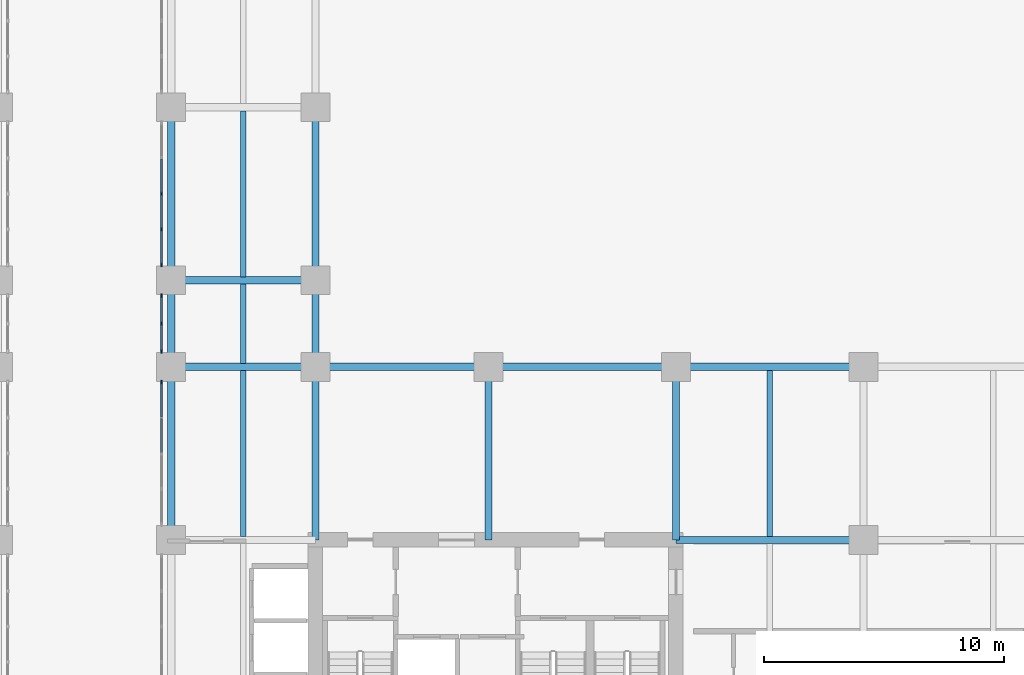
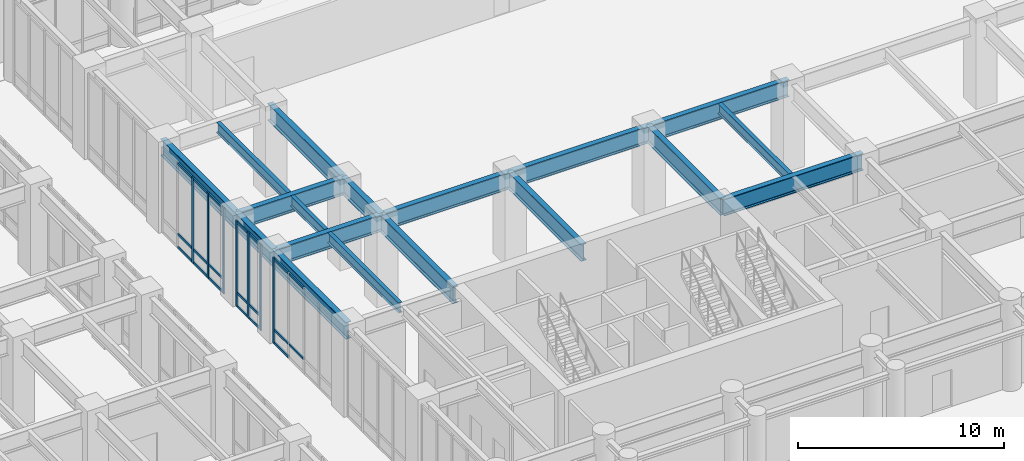
# One storey, part 5 of 23: 27 members, 18 beams, 3 elements without a shape of their own.
"""IFC4 building model written with IfcOpenShell, lengths in metres."""

from ifc_helpers import new_model, si_unit, derived_unit, direction, frame, origin, origin_2d, place, context, subcontext, project, spatial, rectangle, i_section, extrude, source, transform, mapped, material, layer, layer_set, material_profile, profile_set, type_object, type_shapes, element, aggregate, save


model = new_model("IFC4")

# Units and contexts
model_context = context("Model", 3, precision=1e-05, world=origin(), true_north=direction((0.0, 1.0)))
body_context = subcontext(model_context, "Body", "Model", "MODEL_VIEW")
ifc_project = project(units=[si_unit("LENGTHUNIT", "METRE"), si_unit("AREAUNIT", "SQUARE_METRE"), si_unit("VOLUMEUNIT", "CUBIC_METRE"), si_unit("PLANEANGLEUNIT", "RADIAN"), si_unit("MASSUNIT", "GRAM", prefix="KILO"), si_unit("THERMODYNAMICTEMPERATUREUNIT", "KELVIN"), si_unit("POWERUNIT", "WATT"), derived_unit("THERMALTRANSMITTANCEUNIT", [(si_unit("POWERUNIT", "WATT"), 1), (si_unit("AREAUNIT", "SQUARE_METRE"), -1), (si_unit("THERMODYNAMICTEMPERATUREUNIT", "KELVIN"), -1)])], contexts=[model_context])

# Site, building, storey
site_placement = place(None, origin())
site = spatial("IfcSite", under=ifc_project, at=site_placement, CompositionType="ELEMENT")
building_placement = place(site_placement, origin())
building = spatial("IfcBuilding", under=site, at=building_placement, Name="Zahravan Archway Hotel and Residences", CompositionType="ELEMENT")
storey_placement = place(building_placement, origin())
storey = spatial("IfcBuildingStorey", under=building, at=storey_placement, Name="L00", CompositionType="ELEMENT", Elevation=0.0)

# Beams
ifc_material_1 = material(Name="Structural Steel S355J2", Category="steel")
ifc_material_profile_1 = material_profile(ifc_material_1, i_section(OverallWidth=0.300048828125, OverallDepth=1.0, WebThickness=0.01904296875, FlangeThickness=0.035888671875, FilletRadius=0.030029296875, at=origin_2d()), Name="HEB 1000", Category="steel")
ifc_profile_set_1 = profile_set([ifc_material_profile_1], Name="Structural Steel S355J2")
beam_type_1 = type_object("IfcBeamType", Name="BM-PRI-HEB1000", PredefinedType="BEAM", material=ifc_profile_set_1)
shared_shape_1 = source(origin(), body_context, "Body", "SweptSolid", [
    extrude(i_section(OverallWidth=0.300048828125, OverallDepth=1.0, WebThickness=0.01904296875, FlangeThickness=0.035888671875, FilletRadius=0.030029296875, at=origin_2d()), origin(), (0.0, 0.0, 1.0), 7.199951171875),
])
for number, where, z_axis, x_axis, name in (
    (1, (34.800048828125, 21.60009765625, 4.60009765625), (1.0, 0.0, 0.0), (0.0, 1.0, 0.0), "L00 Primary Girder EW-32"),
    (2, (28.800048828125, 25.199951171875, 4.60009765625), (0.0, 1.0, 0.0), (-1.0, 0.0, 0.0), "L00 Primary Girder NS-99"),
    (3, (34.800048828125, 25.199951171875, 4.60009765625), (0.0, 1.0, 0.0), (-1.0, 0.0, 0.0), "L00 Primary Girder NS-104"),
):
    element("IfcBeam", number, at=place(storey_placement, frame(where, z_axis=z_axis, x_axis=x_axis)), inside=storey, type_object=beam_type_1, Name=name, PredefinedType="BEAM", context=body_context, shape_type="MappedRepresentation", body=[
        mapped(shared_shape_1, transform((0.0, 0.0, 0.0), scale=1.0)),
    ])
shared_shape_2 = source(origin(), body_context, "Body", "SweptSolid", [
    extrude(i_section(OverallWidth=0.300048828125, OverallDepth=1.0, WebThickness=0.01904296875, FlangeThickness=0.035888671875, FilletRadius=0.030029296875, at=origin_2d()), origin(), (0.0, 0.0, 1.0), 7.2001953125),
])
for number, where, z_axis, x_axis, name in (
    (4, (28.800048828125, 14.39990234375, 4.60009765625), (0.0, 1.0, 0.0), (-1.0, 0.0, 0.0), "L00 Primary Girder NS-97"),
    (5, (34.800048828125, 14.39990234375, 4.60009765625), (0.0, 1.0, 0.0), (-1.0, 0.0, 0.0), "L00 Primary Girder NS-102"),
    (6, (42.0, 14.39990234375, 4.60009765625), (0.0, 1.0, 0.0), (-1.0, 0.0, 0.0), "L00 Primary Girder NS-107"),
    (7, (49.800048828125, 14.39990234375, 4.60009765625), (0.0, 1.0, 0.0), (-1.0, 0.0, 0.0), "L00 Primary Girder NS-108"),
):
    element("IfcBeam", number, at=place(storey_placement, frame(where, z_axis=z_axis, x_axis=x_axis)), inside=storey, type_object=beam_type_1, Name=name, PredefinedType="BEAM", context=body_context, shape_type="MappedRepresentation", body=[
        mapped(shared_shape_2, transform((0.0, 0.0, 0.0), scale=1.0)),
    ])
shared_shape_3 = source(origin(), body_context, "Body", "SweptSolid", [
    extrude(i_section(OverallWidth=0.300048828125, OverallDepth=1.0, WebThickness=0.01904296875, FlangeThickness=0.035888671875, FilletRadius=0.030029296875, at=origin_2d()), origin(), (0.0, 0.0, 1.0), 6.0),
])
for number, where, z_axis, x_axis, name in (
    (8, (28.800048828125, 21.60009765625, 4.60009765625), (1.0, 0.0, 0.0), (0.0, 1.0, 0.0), "L00 Primary Girder EW-31"),
    (9, (28.800048828125, 25.199951171875, 4.60009765625), (1.0, 0.0, 0.0), (0.0, 1.0, 0.0), "L00 Primary Girder EW-40"),
):
    element("IfcBeam", number, at=place(storey_placement, frame(where, z_axis=z_axis, x_axis=x_axis)), inside=storey, type_object=beam_type_1, Name=name, PredefinedType="BEAM", context=body_context, shape_type="MappedRepresentation", body=[
        mapped(shared_shape_3, transform((0.0, 0.0, 0.0), scale=1.0)),
    ])
shared_shape_4 = source(origin(), body_context, "Body", "SweptSolid", [
    extrude(i_section(OverallWidth=0.300048828125, OverallDepth=1.0, WebThickness=0.01904296875, FlangeThickness=0.035888671875, FilletRadius=0.030029296875, at=origin_2d()), origin(), (0.0, 0.0, 1.0), 7.800048828125),
])
for number, where, z_axis, x_axis, name in (
    (10, (49.800048828125, 14.39990234375, 4.60009765625), (1.0, 0.0, 0.0), (0.0, 1.0, 0.0), "L00 Primary Girder EW-24"),
    (11, (42.0, 21.60009765625, 4.60009765625), (1.0, 0.0, 0.0), (0.0, 1.0, 0.0), "L00 Primary Girder EW-33"),
    (12, (49.800048828125, 21.60009765625, 4.60009765625), (1.0, 0.0, 0.0), (0.0, 1.0, 0.0), "L00 Primary Girder EW-34"),
):
    element("IfcBeam", number, at=place(storey_placement, frame(where, z_axis=z_axis, x_axis=x_axis)), inside=storey, type_object=beam_type_1, Name=name, PredefinedType="BEAM", context=body_context, shape_type="MappedRepresentation", body=[
        mapped(shared_shape_4, transform((0.0, 0.0, 0.0), scale=1.0)),
    ])
shared_shape_5 = source(origin(), body_context, "Body", "SweptSolid", [
    extrude(i_section(OverallWidth=0.300048828125, OverallDepth=1.0, WebThickness=0.01904296875, FlangeThickness=0.035888671875, FilletRadius=0.030029296875, at=origin_2d()), origin(), (0.0, 0.0, 1.0), 3.599853515625),
])
for number, where, z_axis, x_axis, name in (
    (13, (28.800048828125, 21.60009765625, 4.60009765625), (0.0, 1.0, 0.0), (-1.0, 0.0, 0.0), "L00 Primary Girder NS-98"),
    (14, (34.800048828125, 21.60009765625, 4.60009765625), (0.0, 1.0, 0.0), (-1.0, 0.0, 0.0), "L00 Primary Girder NS-103"),
):
    element("IfcBeam", number, at=place(storey_placement, frame(where, z_axis=z_axis, x_axis=x_axis)), inside=storey, type_object=beam_type_1, Name=name, PredefinedType="BEAM", context=body_context, shape_type="MappedRepresentation", body=[
        mapped(shared_shape_5, transform((0.0, 0.0, 0.0), scale=1.0)),
    ])
ifc_material_2 = material(Name="Structural Steel S355JR", Category="steel")
ifc_material_profile_2 = material_profile(ifc_material_2, i_section(OverallWidth=0.219970703125, OverallDepth=0.60009765625, WebThickness=0.011962890625, FlangeThickness=0.01904296875, FilletRadius=0.02392578125, at=origin_2d()), Name="IPE 600", Category="steel")
ifc_profile_set_2 = profile_set([ifc_material_profile_2], Name="Structural Steel S355JR")
beam_type_2 = type_object("IfcBeamType", Name="BM-JST-IPE600", PredefinedType="JOIST", material=ifc_profile_set_2)
shared_shape_6 = source(origin(), body_context, "Body", "SweptSolid", [
    extrude(i_section(OverallWidth=0.219970703125, OverallDepth=0.60009765625, WebThickness=0.011962890625, FlangeThickness=0.01904296875, FilletRadius=0.02392578125, at=origin_2d()), origin(), (0.0, 0.0, 1.0), 6.904052734375),
])
type_shapes(beam_type_2, [shared_shape_6])
beam_1_placement = place(storey_placement, frame((31.800048828125, 25.347900390625, 4.800048828125), z_axis=(0.0, 1.0, 0.0), x_axis=(-1.0, 0.0, 0.0)))
element("IfcBeam", 15, at=beam_1_placement, inside=storey, type_object=beam_type_2, Name="L00 Composite Floor Joist 29", PredefinedType="JOIST", context=body_context, shape_type="MappedRepresentation", body=[
    mapped(shared_shape_6, transform((0.0, 0.0, 0.0), scale=1.0)),
])
shared_shape_7 = source(origin(), body_context, "Body", "SweptSolid", [
    extrude(i_section(OverallWidth=0.219970703125, OverallDepth=0.60009765625, WebThickness=0.011962890625, FlangeThickness=0.01904296875, FilletRadius=0.02392578125, at=origin_2d()), origin(), (0.0, 0.0, 1.0), 6.90380859375),
])
for number, where, z_axis, x_axis, name in (
    (16, (31.800048828125, 14.548095703125, 4.800048828125), (0.0, 1.0, 0.0), (-1.0, 0.0, 0.0), "L00 Composite Floor Joist 21"),
    (17, (53.699951171875, 14.548095703125, 4.800048828125), (0.0, 1.0, 0.0), (-1.0, 0.0, 0.0), "L00 Composite Floor Joist 22"),
):
    element("IfcBeam", number, at=place(storey_placement, frame(where, z_axis=z_axis, x_axis=x_axis)), inside=storey, type_object=beam_type_2, Name=name, PredefinedType="JOIST", context=body_context, shape_type="MappedRepresentation", body=[
        mapped(shared_shape_7, transform((0.0, 0.0, 0.0), scale=1.0)),
    ])
shared_shape_8 = source(origin(), body_context, "Body", "SweptSolid", [
    extrude(i_section(OverallWidth=0.219970703125, OverallDepth=0.60009765625, WebThickness=0.011962890625, FlangeThickness=0.01904296875, FilletRadius=0.02392578125, at=origin_2d()), origin(), (0.0, 0.0, 1.0), 3.303955078125),
])
beam_2_placement = place(storey_placement, frame((31.800048828125, 21.748046875, 4.800048828125), z_axis=(0.0, 1.0, 0.0), x_axis=(-1.0, 0.0, 0.0)))
element("IfcBeam", 18, at=beam_2_placement, inside=storey, type_object=beam_type_2, Name="L00 Composite Floor Joist 27", PredefinedType="JOIST", context=body_context, shape_type="MappedRepresentation", body=[
    mapped(shared_shape_8, transform((0.0, 0.0, 0.0), scale=1.0)),
])

# Curtain wall, member
ifc_material_3 = material(Name="Bronze-Anodized Unitised Aluminium & Low-E Glass", Category="aluminium")
ifc_layer = layer(ifc_material_3, 0.179931640625, Name="Bronze-Anodized Unitised Aluminium & Low-E Glass", Category="aluminium")
ifc_layer_set = layer_set([ifc_layer], Name="Bronze-Anodized Unitised Aluminium & Low-E Glass")
curtain_wall_type = type_object("IfcCurtainWallType", Name="CW-POD-ARCH", PredefinedType="NOTDEFINED", material=ifc_layer_set)
curtain_wall_1_placement = place(storey_placement, origin())
curtain_wall_1 = element("IfcCurtainWall", 19, at=curtain_wall_1_placement, inside=storey, type_object=curtain_wall_type, Name="L00 Curtain Wall CW-PORTE-L00-3", PredefinedType="NOTDEFINED")
ifc_material_4 = material(Name="Bronze-Anodized Extruded Aluminium", Category="aluminium")
ifc_material_profile_3 = material_profile(ifc_material_4, rectangle(XDim=0.080078125, YDim=0.159912109375, at=origin_2d()), Name="MUL 80x160", Category="aluminium")
ifc_profile_set_3 = profile_set([ifc_material_profile_3], Name="Bronze-Anodized Extruded Aluminium")
member_type_1 = type_object("IfcMemberType", Name="CWM-MUL-160", PredefinedType="MULLION", material=ifc_profile_set_3)
shared_shape_9 = source(origin(), body_context, "Body", "SweptSolid", [
    extrude(rectangle(XDim=0.080078125, YDim=0.159912109375, at=origin_2d()), origin(), (0.0, 0.0, 1.0), 5.10009765625),
])
member_1_placement = place(storey_placement, frame((28.39990234375, 20.954833984375, 0.0), z_axis=(0.0, 0.0, 1.0), x_axis=(1.0, 0.0, 0.0)))
member_1 = element("IfcMember", 20, at=member_1_placement, type_object=member_type_1, Name="CW-PORTE-L00-3 Mullion 4", PredefinedType="MULLION", context=body_context, shape_type="MappedRepresentation", body=[
    mapped(shared_shape_9, transform((0.0, 0.0, 0.0), scale=1.0)),
])

# Curtain wall, members
curtain_wall_2_placement = place(storey_placement, origin())
curtain_wall_2 = element("IfcCurtainWall", 21, at=curtain_wall_2_placement, inside=storey, type_object=curtain_wall_type, Name="L00 Curtain Wall CW-PORTE-L00-4", PredefinedType="NOTDEFINED")
member_2_placement = place(storey_placement, frame((28.39990234375, 22.2451171875, 0.0), z_axis=(0.0, 0.0, 1.0), x_axis=(1.0, 0.0, 0.0)))
member_2 = element("IfcMember", 22, at=member_2_placement, type_object=member_type_1, Name="CW-PORTE-L00-4 Mullion 0", PredefinedType="MULLION", context=body_context, shape_type="MappedRepresentation", body=[
    mapped(shared_shape_9, transform((0.0, 0.0, 0.0), scale=1.0)),
])
member_3_placement = place(storey_placement, frame((28.39990234375, 23.39990234375, 0.0), z_axis=(0.0, 0.0, 1.0), x_axis=(1.0, 0.0, 0.0)))
member_3 = element("IfcMember", 23, at=member_3_placement, type_object=member_type_1, Name="CW-PORTE-L00-4 Mullion 1", PredefinedType="MULLION", context=body_context, shape_type="MappedRepresentation", body=[
    mapped(shared_shape_9, transform((0.0, 0.0, 0.0), scale=1.0)),
])
member_4_placement = place(storey_placement, frame((28.39990234375, 24.5546875, 0.0), z_axis=(0.0, 0.0, 1.0), x_axis=(1.0, 0.0, 0.0)))
member_4 = element("IfcMember", 24, at=member_4_placement, type_object=member_type_1, Name="CW-PORTE-L00-4 Mullion 2", PredefinedType="MULLION", context=body_context, shape_type="MappedRepresentation", body=[
    mapped(shared_shape_9, transform((0.0, 0.0, 0.0), scale=1.0)),
])

curtain_wall_3_placement = place(storey_placement, origin())
curtain_wall_3 = element("IfcCurtainWall", 25, at=curtain_wall_3_placement, inside=storey, type_object=curtain_wall_type, Name="L00 Curtain Wall CW-PORTE-L00-5", PredefinedType="NOTDEFINED")
member_5_placement = place(storey_placement, frame((28.39990234375, 25.84521484375, 0.0), z_axis=(0.0, 0.0, 1.0), x_axis=(1.0, 0.0, 0.0)))
member_5 = element("IfcMember", 26, at=member_5_placement, type_object=member_type_1, Name="CW-PORTE-L00-5 Mullion 0", PredefinedType="MULLION", context=body_context, shape_type="MappedRepresentation", body=[
    mapped(shared_shape_9, transform((0.0, 0.0, 0.0), scale=1.0)),
])
member_6_placement = place(storey_placement, frame((28.39990234375, 27.322509765625, 0.0), z_axis=(0.0, 0.0, 1.0), x_axis=(1.0, 0.0, 0.0)))
member_6 = element("IfcMember", 27, at=member_6_placement, type_object=member_type_1, Name="CW-PORTE-L00-5 Mullion 1", PredefinedType="MULLION", context=body_context, shape_type="MappedRepresentation", body=[
    mapped(shared_shape_9, transform((0.0, 0.0, 0.0), scale=1.0)),
])
member_7_placement = place(storey_placement, frame((28.39990234375, 28.800048828125, 0.0), z_axis=(0.0, 0.0, 1.0), x_axis=(1.0, 0.0, 0.0)))
member_7 = element("IfcMember", 28, at=member_7_placement, type_object=member_type_1, Name="CW-PORTE-L00-5 Mullion 2", PredefinedType="MULLION", context=body_context, shape_type="MappedRepresentation", body=[
    mapped(shared_shape_9, transform((0.0, 0.0, 0.0), scale=1.0)),
])
ifc_material_profile_4 = material_profile(ifc_material_4, rectangle(XDim=0.080078125, YDim=0.139892578125, at=origin_2d()), Name="TRN 80x140", Category="aluminium")
ifc_profile_set_4 = profile_set([ifc_material_profile_4], Name="Bronze-Anodized Extruded Aluminium")
member_type_2 = type_object("IfcMemberType", Name="CWM-TRN-140", PredefinedType="USERDEFINED", material=ifc_profile_set_4)
shared_shape_10 = source(origin(), body_context, "Body", "SweptSolid", [
    extrude(rectangle(XDim=0.080078125, YDim=0.139892578125, at=origin_2d()), origin(), (0.0, 0.0, 1.0), 1.397216796875),
])
member_8_placement = place(storey_placement, frame((28.39990234375, 28.840087890625, 0.070068359375), z_axis=(0.0, 1.0, 0.0), x_axis=(-1.0, 0.0, 0.0)))
member_8 = element("IfcMember", 29, at=member_8_placement, type_object=member_type_2, Name="CW-PORTE-L00-5 Transom 2-1", ObjectType="TRANSOM", PredefinedType="USERDEFINED", context=body_context, shape_type="MappedRepresentation", body=[
    mapped(shared_shape_10, transform((0.0, 0.0, 0.0), scale=1.0)),
])
member_9_placement = place(storey_placement, frame((28.39990234375, 28.840087890625, 0.85009765625), z_axis=(0.0, 1.0, 0.0), x_axis=(-1.0, 0.0, 0.0)))
member_9 = element("IfcMember", 30, at=member_9_placement, type_object=member_type_2, Name="CW-PORTE-L00-5 Transom 2-2", ObjectType="TRANSOM", PredefinedType="USERDEFINED", context=body_context, shape_type="MappedRepresentation", body=[
    mapped(shared_shape_10, transform((0.0, 0.0, 0.0), scale=1.0)),
])
member_10_placement = place(storey_placement, frame((28.39990234375, 28.840087890625, 5.030029296875), z_axis=(0.0, 1.0, 0.0), x_axis=(-1.0, 0.0, 0.0)))
member_10 = element("IfcMember", 31, at=member_10_placement, type_object=member_type_2, Name="CW-PORTE-L00-5 Transom 2-3", ObjectType="TRANSOM", PredefinedType="USERDEFINED", context=body_context, shape_type="MappedRepresentation", body=[
    mapped(shared_shape_10, transform((0.0, 0.0, 0.0), scale=1.0)),
])

# Member
shared_shape_11 = source(origin(), body_context, "Body", "SweptSolid", [
    extrude(rectangle(XDim=0.080078125, YDim=0.139892578125, at=origin_2d()), origin(), (0.0, 0.0, 1.0), 1.3974609375),
])
member_11_placement = place(storey_placement, frame((28.39990234375, 18.0400390625, 0.85009765625), z_axis=(0.0, 1.0, 0.0), x_axis=(-1.0, 0.0, 0.0)))
member_11 = element("IfcMember", 32, at=member_11_placement, type_object=member_type_2, Name="CW-PORTE-L00-3 Transom 2-2", ObjectType="TRANSOM", PredefinedType="USERDEFINED", context=body_context, shape_type="MappedRepresentation", body=[
    mapped(shared_shape_11, transform((0.0, 0.0, 0.0), scale=1.0)),
])

member_12_placement = place(storey_placement, frame((28.39990234375, 18.0400390625, 5.030029296875), z_axis=(0.0, 1.0, 0.0), x_axis=(-1.0, 0.0, 0.0)))
member_12 = element("IfcMember", 33, at=member_12_placement, type_object=member_type_2, Name="CW-PORTE-L00-3 Transom 2-3", ObjectType="TRANSOM", PredefinedType="USERDEFINED", context=body_context, shape_type="MappedRepresentation", body=[
    mapped(shared_shape_11, transform((0.0, 0.0, 0.0), scale=1.0)),
])

member_13_placement = place(storey_placement, frame((28.39990234375, 19.517333984375, 0.070068359375), z_axis=(0.0, 1.0, 0.0), x_axis=(-1.0, 0.0, 0.0)))
member_13 = element("IfcMember", 34, at=member_13_placement, type_object=member_type_2, Name="CW-PORTE-L00-3 Transom 3-1", ObjectType="TRANSOM", PredefinedType="USERDEFINED", context=body_context, shape_type="MappedRepresentation", body=[
    mapped(shared_shape_11, transform((0.0, 0.0, 0.0), scale=1.0)),
])

member_14_placement = place(storey_placement, frame((28.39990234375, 19.517333984375, 0.85009765625), z_axis=(0.0, 1.0, 0.0), x_axis=(-1.0, 0.0, 0.0)))
member_14 = element("IfcMember", 35, at=member_14_placement, type_object=member_type_2, Name="CW-PORTE-L00-3 Transom 3-2", ObjectType="TRANSOM", PredefinedType="USERDEFINED", context=body_context, shape_type="MappedRepresentation", body=[
    mapped(shared_shape_11, transform((0.0, 0.0, 0.0), scale=1.0)),
])

member_15_placement = place(storey_placement, frame((28.39990234375, 19.517333984375, 5.030029296875), z_axis=(0.0, 1.0, 0.0), x_axis=(-1.0, 0.0, 0.0)))
member_15 = element("IfcMember", 36, at=member_15_placement, type_object=member_type_2, Name="CW-PORTE-L00-3 Transom 3-3", ObjectType="TRANSOM", PredefinedType="USERDEFINED", context=body_context, shape_type="MappedRepresentation", body=[
    mapped(shared_shape_11, transform((0.0, 0.0, 0.0), scale=1.0)),
])

aggregate(curtain_wall_1, [member_1, member_11, member_12, member_13, member_14, member_15])

member_16_placement = place(storey_placement, frame((28.39990234375, 25.88525390625, 0.070068359375), z_axis=(0.0, 1.0, 0.0), x_axis=(-1.0, 0.0, 0.0)))
member_16 = element("IfcMember", 37, at=member_16_placement, type_object=member_type_2, Name="CW-PORTE-L00-5 Transom 0-1", ObjectType="TRANSOM", PredefinedType="USERDEFINED", context=body_context, shape_type="MappedRepresentation", body=[
    mapped(shared_shape_11, transform((0.0, 0.0, 0.0), scale=1.0)),
])

member_17_placement = place(storey_placement, frame((28.39990234375, 25.88525390625, 0.85009765625), z_axis=(0.0, 1.0, 0.0), x_axis=(-1.0, 0.0, 0.0)))
member_17 = element("IfcMember", 38, at=member_17_placement, type_object=member_type_2, Name="CW-PORTE-L00-5 Transom 0-2", ObjectType="TRANSOM", PredefinedType="USERDEFINED", context=body_context, shape_type="MappedRepresentation", body=[
    mapped(shared_shape_11, transform((0.0, 0.0, 0.0), scale=1.0)),
])

member_18_placement = place(storey_placement, frame((28.39990234375, 25.88525390625, 5.030029296875), z_axis=(0.0, 1.0, 0.0), x_axis=(-1.0, 0.0, 0.0)))
member_18 = element("IfcMember", 39, at=member_18_placement, type_object=member_type_2, Name="CW-PORTE-L00-5 Transom 0-3", ObjectType="TRANSOM", PredefinedType="USERDEFINED", context=body_context, shape_type="MappedRepresentation", body=[
    mapped(shared_shape_11, transform((0.0, 0.0, 0.0), scale=1.0)),
])

member_19_placement = place(storey_placement, frame((28.39990234375, 27.362548828125, 0.070068359375), z_axis=(0.0, 1.0, 0.0), x_axis=(-1.0, 0.0, 0.0)))
member_19 = element("IfcMember", 40, at=member_19_placement, type_object=member_type_2, Name="CW-PORTE-L00-5 Transom 1-1", ObjectType="TRANSOM", PredefinedType="USERDEFINED", context=body_context, shape_type="MappedRepresentation", body=[
    mapped(shared_shape_11, transform((0.0, 0.0, 0.0), scale=1.0)),
])

member_20_placement = place(storey_placement, frame((28.39990234375, 27.362548828125, 0.85009765625), z_axis=(0.0, 1.0, 0.0), x_axis=(-1.0, 0.0, 0.0)))
member_20 = element("IfcMember", 41, at=member_20_placement, type_object=member_type_2, Name="CW-PORTE-L00-5 Transom 1-2", ObjectType="TRANSOM", PredefinedType="USERDEFINED", context=body_context, shape_type="MappedRepresentation", body=[
    mapped(shared_shape_11, transform((0.0, 0.0, 0.0), scale=1.0)),
])

member_21_placement = place(storey_placement, frame((28.39990234375, 27.362548828125, 5.030029296875), z_axis=(0.0, 1.0, 0.0), x_axis=(-1.0, 0.0, 0.0)))
member_21 = element("IfcMember", 42, at=member_21_placement, type_object=member_type_2, Name="CW-PORTE-L00-5 Transom 1-3", ObjectType="TRANSOM", PredefinedType="USERDEFINED", context=body_context, shape_type="MappedRepresentation", body=[
    mapped(shared_shape_11, transform((0.0, 0.0, 0.0), scale=1.0)),
])

aggregate(curtain_wall_3, [member_5, member_6, member_7, member_16, member_17, member_18, member_19, member_20, member_21, member_8, member_9, member_10])

shared_shape_12 = source(origin(), body_context, "Body", "SweptSolid", [
    extrude(rectangle(XDim=0.080078125, YDim=0.139892578125, at=origin_2d()), origin(), (0.0, 0.0, 1.0), 1.074951171875),
])
member_22_placement = place(storey_placement, frame((28.39990234375, 22.28515625, 0.070068359375), z_axis=(0.0, 1.0, 0.0), x_axis=(-1.0, 0.0, 0.0)))
member_22 = element("IfcMember", 43, at=member_22_placement, type_object=member_type_2, Name="CW-PORTE-L00-4 Transom 0-1", ObjectType="TRANSOM", PredefinedType="USERDEFINED", context=body_context, shape_type="MappedRepresentation", body=[
    mapped(shared_shape_12, transform((0.0, 0.0, 0.0), scale=1.0)),
])

member_23_placement = place(storey_placement, frame((28.39990234375, 22.28515625, 0.85009765625), z_axis=(0.0, 1.0, 0.0), x_axis=(-1.0, 0.0, 0.0)))
member_23 = element("IfcMember", 44, at=member_23_placement, type_object=member_type_2, Name="CW-PORTE-L00-4 Transom 0-2", ObjectType="TRANSOM", PredefinedType="USERDEFINED", context=body_context, shape_type="MappedRepresentation", body=[
    mapped(shared_shape_12, transform((0.0, 0.0, 0.0), scale=1.0)),
])

member_24_placement = place(storey_placement, frame((28.39990234375, 22.28515625, 5.030029296875), z_axis=(0.0, 1.0, 0.0), x_axis=(-1.0, 0.0, 0.0)))
member_24 = element("IfcMember", 45, at=member_24_placement, type_object=member_type_2, Name="CW-PORTE-L00-4 Transom 0-3", ObjectType="TRANSOM", PredefinedType="USERDEFINED", context=body_context, shape_type="MappedRepresentation", body=[
    mapped(shared_shape_12, transform((0.0, 0.0, 0.0), scale=1.0)),
])

member_25_placement = place(storey_placement, frame((28.39990234375, 23.43994140625, 0.070068359375), z_axis=(0.0, 1.0, 0.0), x_axis=(-1.0, 0.0, 0.0)))
member_25 = element("IfcMember", 46, at=member_25_placement, type_object=member_type_2, Name="CW-PORTE-L00-4 Transom 1-1", ObjectType="TRANSOM", PredefinedType="USERDEFINED", context=body_context, shape_type="MappedRepresentation", body=[
    mapped(shared_shape_12, transform((0.0, 0.0, 0.0), scale=1.0)),
])

member_26_placement = place(storey_placement, frame((28.39990234375, 23.43994140625, 0.85009765625), z_axis=(0.0, 1.0, 0.0), x_axis=(-1.0, 0.0, 0.0)))
member_26 = element("IfcMember", 47, at=member_26_placement, type_object=member_type_2, Name="CW-PORTE-L00-4 Transom 1-2", ObjectType="TRANSOM", PredefinedType="USERDEFINED", context=body_context, shape_type="MappedRepresentation", body=[
    mapped(shared_shape_12, transform((0.0, 0.0, 0.0), scale=1.0)),
])

member_27_placement = place(storey_placement, frame((28.39990234375, 23.43994140625, 5.030029296875), z_axis=(0.0, 1.0, 0.0), x_axis=(-1.0, 0.0, 0.0)))
member_27 = element("IfcMember", 48, at=member_27_placement, type_object=member_type_2, Name="CW-PORTE-L00-4 Transom 1-3", ObjectType="TRANSOM", PredefinedType="USERDEFINED", context=body_context, shape_type="MappedRepresentation", body=[
    mapped(shared_shape_12, transform((0.0, 0.0, 0.0), scale=1.0)),
])

aggregate(curtain_wall_2, [member_2, member_3, member_4, member_22, member_23, member_24, member_25, member_26, member_27])

save(model, "model.ifc")
